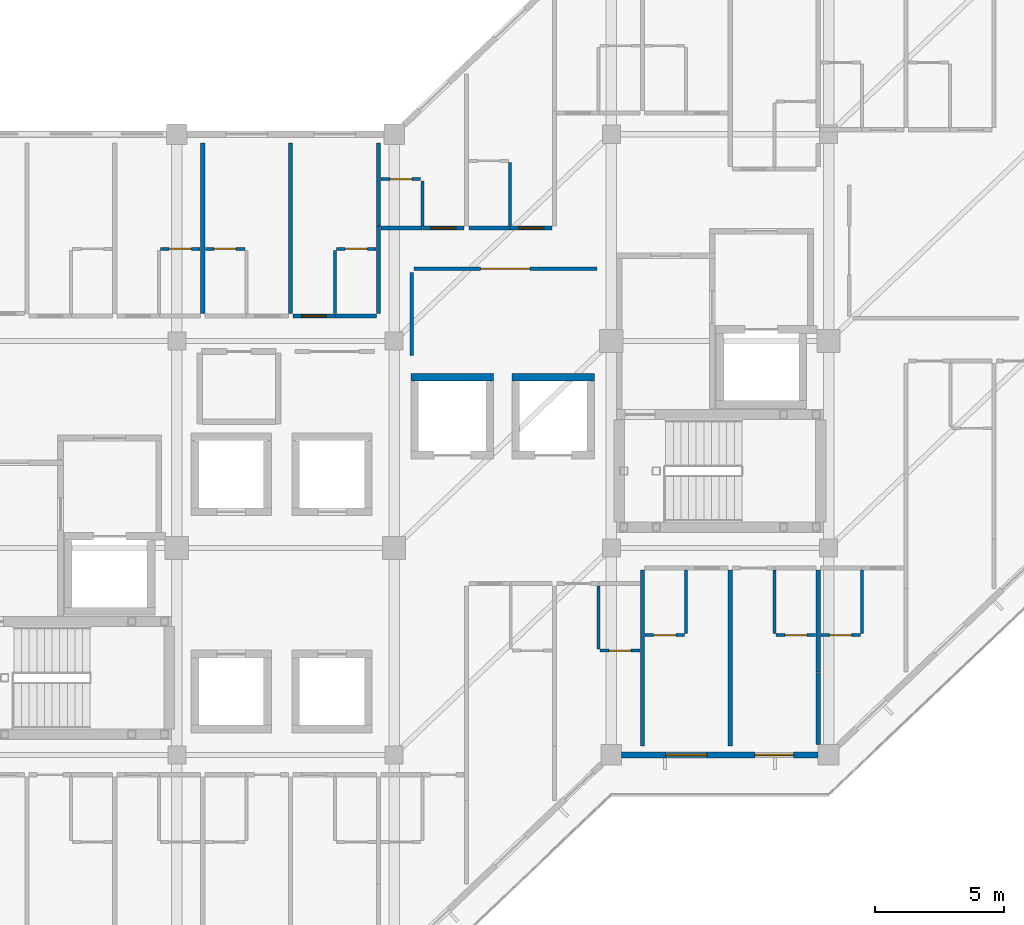
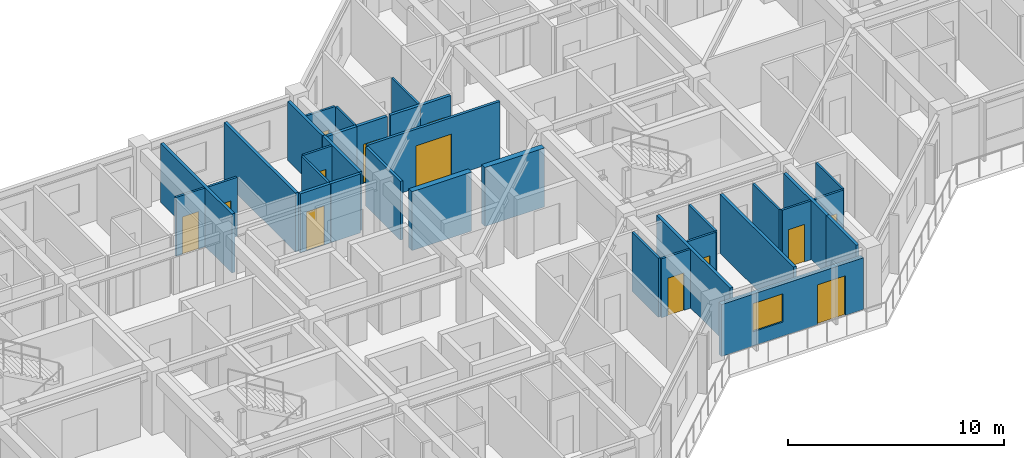
# One storey, part 9 of 17: 34 walls, 13 doors, 1 window, 14 openings.
"""IFC4 building model written with IfcOpenShell, lengths in metres."""

from ifc_helpers import new_model, si_unit, direction, frame, frame_2d, origin, place, context, subcontext, project, spatial, rectangle, extrude, material, layer, layer_set, type_object, element, fill, save


model = new_model("IFC4")

# Units and contexts
model_context = context("Model", 3, precision=1e-05, world=origin(), true_north=direction((0.0, 1.0)))
body_context = subcontext(model_context, "Body", "Model", "MODEL_VIEW")
ifc_project = project(units=[si_unit("LENGTHUNIT", "METRE"), si_unit("AREAUNIT", "SQUARE_METRE"), si_unit("VOLUMEUNIT", "CUBIC_METRE"), si_unit("PLANEANGLEUNIT", "RADIAN"), si_unit("MASSUNIT", "GRAM", prefix="KILO")], contexts=[model_context])

# Site, building, storey
site_placement = place(None, origin())
site = spatial("IfcSite", under=ifc_project, at=site_placement, CompositionType="ELEMENT")
building_placement = place(site_placement, origin())
building = spatial("IfcBuilding", under=site, at=building_placement, Name="Naruveol Harbour Congress Hotel", CompositionType="ELEMENT")
storey_placement = place(building_placement, frame((0.0, 0.0, 25.199951171875)))
storey = spatial("IfcBuildingStorey", under=building, at=storey_placement, Name="L05", CompositionType="ELEMENT", Elevation=25.199951171875)

# Wall, opening, door
ifc_material_1 = material(Name="Acoustic Double Stud Gypsum", Category="gypsum")
ifc_layer_1 = layer(ifc_material_1, 0.139892578125)
ifc_layer_set_1 = layer_set([ifc_layer_1], Name="Acoustic Double Stud Gypsum")
wall_type_1 = type_object("IfcWallType", Name="ACOUSTIC MEETING PARTITION WALL 140", PredefinedType="PARTITIONING", material=ifc_layer_set_1)
wall_1_placement = place(storey_placement, frame((143.56005859375, 26.800048828125, 0.0), z_axis=(0.0, 0.0, 1.0), x_axis=(1.0, 0.0, 0.0)))
wall_1 = element("IfcWall", 1, at=wall_1_placement, inside=storey, type_object=wall_type_1, Name="Harbour Study Salon north entry wall PW-140", PredefinedType="PARTITIONING", context=body_context, shape_type="SweptSolid", body=[
    extrude(rectangle(XDim=7.079833984375, YDim=0.139892578125, at=frame_2d((3.5400390625, 0.0))), origin(), (0.0, 0.0, 1.0), 3.3349609375),
])
opening_1_placement = place(wall_1_placement, frame((2.590087890625, 0.0, 0.0)))
opening_1 = element("IfcOpeningElement", 2, at=opening_1_placement, cuts=wall_1, Name="Opening ID-LG-105", PredefinedType="OPENING", context=body_context, shape_type="SweptSolid", body=[
    extrude(rectangle(XDim=1.89990234375, YDim=2.39990234375, at=frame_2d((0.949951171875, 1.199951171875))), frame((0.0, 0.079833984375, 0.0), z_axis=(0.0, -1.0, 0.0), x_axis=(1.0, 0.0, 0.0)), (0.0, 0.0, 1.0), 0.159912109375),
])
ifc_material_2 = material(Name="Timber & Steel Acoustic Leaf", Category="steel")
door_type_1 = type_object("IfcDoorType", Name="RESTAURANT AND LOUNGE GLAZED DOOR 1900X2400", OperationType="DOUBLE_DOOR_SINGLE_SWING", PredefinedType="DOOR", material=ifc_material_2)
door_1_placement = place(opening_1_placement, origin())
door_1 = element("IfcDoor", 3, at=door_1_placement, inside=storey, type_object=door_type_1, Name="Harbour Study Salon Entrance Door", OperationType="DOUBLE_DOOR_SINGLE_SWING", OverallHeight=2.39990234375, OverallWidth=1.89990234375, PredefinedType="DOOR", context=body_context, shape_type="SweptSolid", body=[
    extrude(rectangle(XDim=1.89990234375, YDim=2.39990234375, at=frame_2d((0.949951171875, 1.199951171875))), frame((0.0, 0.02490234375, 0.0), z_axis=(0.0, -1.0, 0.0), x_axis=(1.0, 0.0, 0.0)), (0.0, 0.0, 1.0), 0.050048828125),
])
fill(opening_1, door_1)

# Wall
wall_2_placement = place(storey_placement, frame((143.47998046875, 23.449951171875, 0.0), z_axis=(0.0, 0.0, 1.0), x_axis=(0.0, 1.0, 0.0)))
element("IfcWall", 4, at=wall_2_placement, inside=storey, type_object=wall_type_1, Name="Harbour Study Salon west partition PW-140", PredefinedType="PARTITIONING", context=body_context, shape_type="SweptSolid", body=[
    extrude(rectangle(XDim=3.2099609375, YDim=0.139892578125, at=frame_2d((1.60498046875, 0.0))), origin(), (0.0, 0.0, 1.0), 3.3349609375),
])

# Wall, opening, door
ifc_material_3 = material(Name="Moisture-Resistant Gypsum Partition", Category="gypsum")
ifc_layer_2 = layer(ifc_material_3, 0.114990234375)
ifc_layer_set_2 = layer_set([ifc_layer_2], Name="Moisture-Resistant Gypsum Partition")
wall_type_2 = type_object("IfcWallType", Name="BATHROOM MOISTURE PARTITION WALL 115", PredefinedType="PARTITIONING", material=ifc_layer_set_2)
wall_3_placement = place(storey_placement, frame((133.77001953125, 27.570068359375, 0.0), z_axis=(0.0, 0.0, 1.0), x_axis=(1.0, 0.0, 0.0)))
wall_3 = element("IfcWall", 5, at=wall_3_placement, inside=storey, type_object=wall_type_2, Name="Bathroom north wall 0638 PW-115", PredefinedType="PARTITIONING", context=body_context, shape_type="SweptSolid", body=[
    extrude(rectangle(XDim=1.530029296875, YDim=0.114990234375, at=frame_2d((0.76513671875, 0.0))), origin(), (0.0, 0.0, 1.0), 3.3349609375),
])
opening_2_placement = place(wall_3_placement, frame((0.3349609375, 0.0, 0.0)))
opening_2 = element("IfcOpeningElement", 6, at=opening_2_placement, cuts=wall_3, Name="Opening BD-RM0638", PredefinedType="OPENING", context=body_context, shape_type="SweptSolid", body=[
    extrude(rectangle(XDim=0.860107421875, YDim=2.1201171875, at=frame_2d((0.43017578125, 1.06005859375))), frame((0.0, 0.0673828125, 0.0), z_axis=(0.0, -1.0, 0.0), x_axis=(1.0, 0.0, 0.0)), (0.0, 0.0, 1.0), 0.135009765625),
])
ifc_material_4 = material(Name="Timber & Steel Acoustic Leaf", Category="steel")
door_type_2 = type_object("IfcDoorType", Name="GUEST BATHROOM DOOR 860X2120", OperationType="NOTDEFINED", PredefinedType="DOOR", material=ifc_material_4)
door_2_placement = place(opening_2_placement, origin())
door_2 = element("IfcDoor", 7, at=door_2_placement, inside=storey, type_object=door_type_2, Name="Bathroom Door 0638", OperationType="SINGLE_SWING_RIGHT", OverallHeight=2.1201171875, OverallWidth=0.860107421875, PredefinedType="DOOR", context=body_context, shape_type="SweptSolid", body=[
    extrude(rectangle(XDim=0.860107421875, YDim=2.1201171875, at=frame_2d((0.43017578125, 1.06005859375))), frame((0.0, 0.02490234375, 0.0), z_axis=(0.0, -1.0, 0.0), x_axis=(1.0, 0.0, 0.0)), (0.0, 0.0, 1.0), 0.050048828125),
])
fill(opening_2, door_2)

wall_4_placement = place(storey_placement, frame((135.5, 27.570068359375, 0.0), z_axis=(0.0, 0.0, 1.0), x_axis=(1.0, 0.0, 0.0)))
wall_4 = element("IfcWall", 8, at=wall_4_placement, inside=storey, type_object=wall_type_2, Name="Bathroom north wall 0639 PW-115", PredefinedType="PARTITIONING", context=body_context, shape_type="SweptSolid", body=[
    extrude(rectangle(XDim=1.530029296875, YDim=0.114990234375, at=frame_2d((0.76513671875, 0.0))), origin(), (0.0, 0.0, 1.0), 3.3349609375),
])
opening_3_placement = place(wall_4_placement, frame((0.3349609375, 0.0, 0.0)))
opening_3 = element("IfcOpeningElement", 9, at=opening_3_placement, cuts=wall_4, Name="Opening BD-RM0639", PredefinedType="OPENING", context=body_context, shape_type="SweptSolid", body=[
    extrude(rectangle(XDim=0.860107421875, YDim=2.1201171875, at=frame_2d((0.43017578125, 1.06005859375))), frame((0.0, 0.0673828125, 0.0), z_axis=(0.0, -1.0, 0.0), x_axis=(1.0, 0.0, 0.0)), (0.0, 0.0, 1.0), 0.135009765625),
])
door_3_placement = place(opening_3_placement, origin())
door_3 = element("IfcDoor", 10, at=door_3_placement, inside=storey, type_object=door_type_2, Name="Bathroom Door 0639", OperationType="SINGLE_SWING_RIGHT", OverallHeight=2.1201171875, OverallWidth=0.860107421875, PredefinedType="DOOR", context=body_context, shape_type="SweptSolid", body=[
    extrude(rectangle(XDim=0.860107421875, YDim=2.1201171875, at=frame_2d((0.43017578125, 1.06005859375))), frame((0.0, 0.02490234375, 0.0), z_axis=(0.0, -1.0, 0.0), x_axis=(1.0, 0.0, 0.0)), (0.0, 0.0, 1.0), 0.050048828125),
])
fill(opening_3, door_3)

# Wall
wall_5_placement = place(storey_placement, frame((140.510009765625, 25.06005859375, 0.0), z_axis=(0.0, 0.0, 1.0), x_axis=(0.0, 1.0, 0.0)))
element("IfcWall", 11, at=wall_5_placement, inside=storey, type_object=wall_type_2, Name="Bathroom west wall 0640 PW-115", PredefinedType="PARTITIONING", context=body_context, shape_type="SweptSolid", body=[
    extrude(rectangle(XDim=2.449951171875, YDim=0.114990234375, at=frame_2d((1.22509765625, 0.0))), origin(), (0.0, 0.0, 1.0), 3.3349609375),
])

# Wall, opening, door
wall_6_placement = place(storey_placement, frame((140.570068359375, 27.570068359375, 0.0), z_axis=(0.0, 0.0, 1.0), x_axis=(1.0, 0.0, 0.0)))
wall_6 = element("IfcWall", 12, at=wall_6_placement, inside=storey, type_object=wall_type_2, Name="Bathroom north wall 0640 PW-115", PredefinedType="PARTITIONING", context=body_context, shape_type="SweptSolid", body=[
    extrude(rectangle(XDim=1.530029296875, YDim=0.114990234375, at=frame_2d((0.76513671875, 0.0))), origin(), (0.0, 0.0, 1.0), 3.3349609375),
])
opening_4_placement = place(wall_6_placement, frame((0.3349609375, 0.0, 0.0)))
opening_4 = element("IfcOpeningElement", 13, at=opening_4_placement, cuts=wall_6, Name="Opening BD-RM0640", PredefinedType="OPENING", context=body_context, shape_type="SweptSolid", body=[
    extrude(rectangle(XDim=0.860107421875, YDim=2.1201171875, at=frame_2d((0.43017578125, 1.06005859375))), frame((0.0, 0.0673828125, 0.0), z_axis=(0.0, -1.0, 0.0), x_axis=(1.0, 0.0, 0.0)), (0.0, 0.0, 1.0), 0.135009765625),
])
door_4_placement = place(opening_4_placement, origin())
door_4 = element("IfcDoor", 14, at=door_4_placement, inside=storey, type_object=door_type_2, Name="Bathroom Door 0640", OperationType="SINGLE_SWING_RIGHT", OverallHeight=2.1201171875, OverallWidth=0.860107421875, PredefinedType="DOOR", context=body_context, shape_type="SweptSolid", body=[
    extrude(rectangle(XDim=0.860107421875, YDim=2.1201171875, at=frame_2d((0.43017578125, 1.06005859375))), frame((0.0, 0.02490234375, 0.0), z_axis=(0.0, -1.0, 0.0), x_axis=(1.0, 0.0, 0.0)), (0.0, 0.0, 1.0), 0.050048828125),
])
fill(opening_4, door_4)

# Wall
wall_7_placement = place(storey_placement, frame((143.889892578125, 28.4599609375, 0.0), z_axis=(0.0, 0.0, 1.0), x_axis=(0.0, 1.0, 0.0)))
element("IfcWall", 15, at=wall_7_placement, inside=storey, type_object=wall_type_2, Name="Bathroom east wall 0641 PW-115", PredefinedType="PARTITIONING", context=body_context, shape_type="SweptSolid", body=[
    extrude(rectangle(XDim=1.739990234375, YDim=0.114990234375, at=frame_2d((0.8701171875, 0.0))), origin(), (0.0, 0.0, 1.0), 3.3349609375),
])

# Wall, opening, door
wall_8_placement = place(storey_placement, frame((142.300048828125, 30.260009765625, 0.0), z_axis=(0.0, 0.0, 1.0), x_axis=(1.0, 0.0, 0.0)))
wall_8 = element("IfcWall", 16, at=wall_8_placement, inside=storey, type_object=wall_type_2, Name="Bathroom north wall 0641 PW-115", PredefinedType="PARTITIONING", context=body_context, shape_type="SweptSolid", body=[
    extrude(rectangle(XDim=1.530029296875, YDim=0.114990234375, at=frame_2d((0.76513671875, 0.0))), origin(), (0.0, 0.0, 1.0), 3.3349609375),
])
opening_5_placement = place(wall_8_placement, frame((0.3349609375, 0.0, 0.0)))
opening_5 = element("IfcOpeningElement", 17, at=opening_5_placement, cuts=wall_8, Name="Opening BD-RM0641", PredefinedType="OPENING", context=body_context, shape_type="SweptSolid", body=[
    extrude(rectangle(XDim=0.860107421875, YDim=2.1201171875, at=frame_2d((0.43017578125, 1.06005859375))), frame((0.0, 0.0673828125, 0.0), z_axis=(0.0, -1.0, 0.0), x_axis=(1.0, 0.0, 0.0)), (0.0, 0.0, 1.0), 0.135009765625),
])
door_5_placement = place(opening_5_placement, origin())
door_5 = element("IfcDoor", 18, at=door_5_placement, inside=storey, type_object=door_type_2, Name="Bathroom Door 0641", OperationType="SINGLE_SWING_RIGHT", OverallHeight=2.1201171875, OverallWidth=0.860107421875, PredefinedType="DOOR", context=body_context, shape_type="SweptSolid", body=[
    extrude(rectangle(XDim=0.860107421875, YDim=2.1201171875, at=frame_2d((0.43017578125, 1.06005859375))), frame((0.0, 0.02490234375, 0.0), z_axis=(0.0, -1.0, 0.0), x_axis=(1.0, 0.0, 0.0)), (0.0, 0.0, 1.0), 0.050048828125),
])
fill(opening_5, door_5)

# Walls
for number, where, z_axis, x_axis, name in (
    (19, (147.2900390625, 28.4599609375, 0.0), (0.0, 0.0, 1.0), (0.0, 1.0, 0.0), "Bathroom east wall 0642 PW-115"),
    (20, (150.7099609375, 12.090087890625, 0.0), (0.0, 0.0, 1.0), (0.0, 1.0, 0.0), "Bathroom west wall 0624 PW-115"),
):
    element("IfcWall", number, at=place(storey_placement, frame(where, z_axis=z_axis, x_axis=x_axis)), inside=storey, type_object=wall_type_2, Name=name, PredefinedType="PARTITIONING", context=body_context, shape_type="SweptSolid", body=[
        extrude(rectangle(XDim=2.449951171875, YDim=0.114990234375, at=frame_2d((1.22509765625, 0.0))), origin(), (0.0, 0.0, 1.0), 3.3349609375),
    ])

# Wall, opening, door
wall_9_placement = place(storey_placement, frame((150.77001953125, 12.030029296875, 0.0), z_axis=(0.0, 0.0, 1.0), x_axis=(1.0, 0.0, 0.0)))
wall_9 = element("IfcWall", 21, at=wall_9_placement, inside=storey, type_object=wall_type_2, Name="Bathroom south wall 0624 PW-115", PredefinedType="PARTITIONING", context=body_context, shape_type="SweptSolid", body=[
    extrude(rectangle(XDim=1.530029296875, YDim=0.114990234375, at=frame_2d((0.76513671875, 0.0))), origin(), (0.0, 0.0, 1.0), 3.3349609375),
])
opening_6_placement = place(wall_9_placement, frame((0.3349609375, 0.0, 0.0)))
opening_6 = element("IfcOpeningElement", 22, at=opening_6_placement, cuts=wall_9, Name="Opening BD-RM0624", PredefinedType="OPENING", context=body_context, shape_type="SweptSolid", body=[
    extrude(rectangle(XDim=0.860107421875, YDim=2.1201171875, at=frame_2d((0.43017578125, 1.06005859375))), frame((0.0, 0.0673828125, 0.0), z_axis=(0.0, -1.0, 0.0), x_axis=(1.0, 0.0, 0.0)), (0.0, 0.0, 1.0), 0.135009765625),
])
door_6_placement = place(opening_6_placement, origin())
door_6 = element("IfcDoor", 23, at=door_6_placement, inside=storey, type_object=door_type_2, Name="Bathroom Door 0624", OperationType="SINGLE_SWING_RIGHT", OverallHeight=2.1201171875, OverallWidth=0.860107421875, PredefinedType="DOOR", context=body_context, shape_type="SweptSolid", body=[
    extrude(rectangle(XDim=0.860107421875, YDim=2.1201171875, at=frame_2d((0.43017578125, 1.06005859375))), frame((0.0, 0.02490234375, 0.0), z_axis=(0.0, -1.0, 0.0), x_axis=(1.0, 0.0, 0.0)), (0.0, 0.0, 1.0), 0.050048828125),
])
fill(opening_6, door_6)

# Wall
wall_10_placement = place(storey_placement, frame((154.090087890625, 12.68994140625, 0.0), z_axis=(0.0, 0.0, 1.0), x_axis=(0.0, 1.0, 0.0)))
element("IfcWall", 24, at=wall_10_placement, inside=storey, type_object=wall_type_2, Name="Bathroom east wall 0625 PW-115", PredefinedType="PARTITIONING", context=body_context, shape_type="SweptSolid", body=[
    extrude(rectangle(XDim=2.449951171875, YDim=0.114990234375, at=frame_2d((1.22509765625, 0.0))), origin(), (0.0, 0.0, 1.0), 3.3349609375),
])

# Wall, opening, door
wall_11_placement = place(storey_placement, frame((152.5, 12.6298828125, 0.0), z_axis=(0.0, 0.0, 1.0), x_axis=(1.0, 0.0, 0.0)))
wall_11 = element("IfcWall", 25, at=wall_11_placement, inside=storey, type_object=wall_type_2, Name="Bathroom south wall 0625 PW-115", PredefinedType="PARTITIONING", context=body_context, shape_type="SweptSolid", body=[
    extrude(rectangle(XDim=1.530029296875, YDim=0.114990234375, at=frame_2d((0.76513671875, 0.0))), origin(), (0.0, 0.0, 1.0), 3.3349609375),
])
opening_7_placement = place(wall_11_placement, frame((0.3349609375, 0.0, 0.0)))
opening_7 = element("IfcOpeningElement", 26, at=opening_7_placement, cuts=wall_11, Name="Opening BD-RM0625", PredefinedType="OPENING", context=body_context, shape_type="SweptSolid", body=[
    extrude(rectangle(XDim=0.860107421875, YDim=2.1201171875, at=frame_2d((0.43017578125, 1.06005859375))), frame((0.0, 0.0673828125, 0.0), z_axis=(0.0, -1.0, 0.0), x_axis=(1.0, 0.0, 0.0)), (0.0, 0.0, 1.0), 0.135009765625),
])
door_7_placement = place(opening_7_placement, origin())
door_7 = element("IfcDoor", 27, at=door_7_placement, inside=storey, type_object=door_type_2, Name="Bathroom Door 0625", OperationType="SINGLE_SWING_RIGHT", OverallHeight=2.1201171875, OverallWidth=0.860107421875, PredefinedType="DOOR", context=body_context, shape_type="SweptSolid", body=[
    extrude(rectangle(XDim=0.860107421875, YDim=2.1201171875, at=frame_2d((0.43017578125, 1.06005859375))), frame((0.0, 0.02490234375, 0.0), z_axis=(0.0, -1.0, 0.0), x_axis=(1.0, 0.0, 0.0)), (0.0, 0.0, 1.0), 0.050048828125),
])
fill(opening_7, door_7)

# Wall
wall_12_placement = place(storey_placement, frame((157.510009765625, 12.68994140625, 0.0), z_axis=(0.0, 0.0, 1.0), x_axis=(0.0, 1.0, 0.0)))
element("IfcWall", 28, at=wall_12_placement, inside=storey, type_object=wall_type_2, Name="Bathroom west wall 0626 PW-115", PredefinedType="PARTITIONING", context=body_context, shape_type="SweptSolid", body=[
    extrude(rectangle(XDim=2.449951171875, YDim=0.114990234375, at=frame_2d((1.22509765625, 0.0))), origin(), (0.0, 0.0, 1.0), 3.3349609375),
])

# Wall, opening, door
wall_13_placement = place(storey_placement, frame((157.570068359375, 12.6298828125, 0.0), z_axis=(0.0, 0.0, 1.0), x_axis=(1.0, 0.0, 0.0)))
wall_13 = element("IfcWall", 29, at=wall_13_placement, inside=storey, type_object=wall_type_2, Name="Bathroom south wall 0626 PW-115", PredefinedType="PARTITIONING", context=body_context, shape_type="SweptSolid", body=[
    extrude(rectangle(XDim=1.530029296875, YDim=0.114990234375, at=frame_2d((0.76513671875, 0.0))), origin(), (0.0, 0.0, 1.0), 3.3349609375),
])
opening_8_placement = place(wall_13_placement, frame((0.3349609375, 0.0, 0.0)))
opening_8 = element("IfcOpeningElement", 30, at=opening_8_placement, cuts=wall_13, Name="Opening BD-RM0626", PredefinedType="OPENING", context=body_context, shape_type="SweptSolid", body=[
    extrude(rectangle(XDim=0.860107421875, YDim=2.1201171875, at=frame_2d((0.43017578125, 1.06005859375))), frame((0.0, 0.0673828125, 0.0), z_axis=(0.0, -1.0, 0.0), x_axis=(1.0, 0.0, 0.0)), (0.0, 0.0, 1.0), 0.135009765625),
])
door_8_placement = place(opening_8_placement, origin())
door_8 = element("IfcDoor", 31, at=door_8_placement, inside=storey, type_object=door_type_2, Name="Bathroom Door 0626", OperationType="SINGLE_SWING_RIGHT", OverallHeight=2.1201171875, OverallWidth=0.860107421875, PredefinedType="DOOR", context=body_context, shape_type="SweptSolid", body=[
    extrude(rectangle(XDim=0.860107421875, YDim=2.1201171875, at=frame_2d((0.43017578125, 1.06005859375))), frame((0.0, 0.02490234375, 0.0), z_axis=(0.0, -1.0, 0.0), x_axis=(1.0, 0.0, 0.0)), (0.0, 0.0, 1.0), 0.050048828125),
])
fill(opening_8, door_8)

# Wall
wall_14_placement = place(storey_placement, frame((160.889892578125, 12.68994140625, 0.0), z_axis=(0.0, 0.0, 1.0), x_axis=(0.0, 1.0, 0.0)))
element("IfcWall", 32, at=wall_14_placement, inside=storey, type_object=wall_type_2, Name="Bathroom east wall 0627 PW-115", PredefinedType="PARTITIONING", context=body_context, shape_type="SweptSolid", body=[
    extrude(rectangle(XDim=2.449951171875, YDim=0.114990234375, at=frame_2d((1.22509765625, 0.0))), origin(), (0.0, 0.0, 1.0), 3.3349609375),
])

# Wall, opening, door
wall_15_placement = place(storey_placement, frame((159.300048828125, 12.6298828125, 0.0), z_axis=(0.0, 0.0, 1.0), x_axis=(1.0, 0.0, 0.0)))
wall_15 = element("IfcWall", 33, at=wall_15_placement, inside=storey, type_object=wall_type_2, Name="Bathroom south wall 0627 PW-115", PredefinedType="PARTITIONING", context=body_context, shape_type="SweptSolid", body=[
    extrude(rectangle(XDim=1.530029296875, YDim=0.114990234375, at=frame_2d((0.76513671875, 0.0))), origin(), (0.0, 0.0, 1.0), 3.3349609375),
])
opening_9_placement = place(wall_15_placement, frame((0.3349609375, 0.0, 0.0)))
opening_9 = element("IfcOpeningElement", 34, at=opening_9_placement, cuts=wall_15, Name="Opening BD-RM0627", PredefinedType="OPENING", context=body_context, shape_type="SweptSolid", body=[
    extrude(rectangle(XDim=0.860107421875, YDim=2.1201171875, at=frame_2d((0.43017578125, 1.06005859375))), frame((0.0, 0.0673828125, 0.0), z_axis=(0.0, -1.0, 0.0), x_axis=(1.0, 0.0, 0.0)), (0.0, 0.0, 1.0), 0.135009765625),
])
door_9_placement = place(opening_9_placement, origin())
door_9 = element("IfcDoor", 35, at=door_9_placement, inside=storey, type_object=door_type_2, Name="Bathroom Door 0627", OperationType="SINGLE_SWING_RIGHT", OverallHeight=2.1201171875, OverallWidth=0.860107421875, PredefinedType="DOOR", context=body_context, shape_type="SweptSolid", body=[
    extrude(rectangle(XDim=0.860107421875, YDim=2.1201171875, at=frame_2d((0.43017578125, 1.06005859375))), frame((0.0, 0.02490234375, 0.0), z_axis=(0.0, -1.0, 0.0), x_axis=(1.0, 0.0, 0.0)), (0.0, 0.0, 1.0), 0.050048828125),
])
fill(opening_9, door_9)

# Wall
ifc_material_5 = material(Name="Autoclaved Aerated Concrete Block", Category="concrete")
ifc_layer_3 = layer(ifc_material_5, 0.159912109375)
ifc_layer_set_3 = layer_set([ifc_layer_3], Name="Autoclaved Aerated Concrete Block")
wall_type_3 = type_object("IfcWallType", Name="HOTEL PARTY AND CORRIDOR WALL 160 EI60", PredefinedType="PARTITIONING", material=ifc_layer_set_3)
wall_16_placement = place(storey_placement, frame((135.39990234375, 25.06005859375, 0.0), z_axis=(0.0, 0.0, 1.0), x_axis=(0.0, 1.0, 0.0)))
element("IfcWall", 36, at=wall_16_placement, inside=storey, type_object=wall_type_3, Name="Hotel party wall 0639 PW-160", PredefinedType="PARTITIONING", context=body_context, shape_type="SweptSolid", body=[
    extrude(rectangle(XDim=6.599853515625, YDim=0.159912109375, at=frame_2d((3.2998046875, 0.0))), origin(), (0.0, 0.0, 1.0), 3.3349609375),
])

# Wall, opening, door
wall_17_placement = place(storey_placement, frame((138.889892578125, 24.969970703125, 0.0), z_axis=(0.0, 0.0, 1.0), x_axis=(1.0, 0.0, 0.0)))
wall_17 = element("IfcWall", 37, at=wall_17_placement, inside=storey, type_object=wall_type_3, Name="Corridor entry wall 0640 PW-160", PredefinedType="PARTITIONING", context=body_context, shape_type="SweptSolid", body=[
    extrude(rectangle(XDim=1.6201171875, YDim=0.159912109375, at=frame_2d((0.81005859375, 0.0))), origin(), (0.0, 0.0, 1.0), 3.3349609375),
])
opening_10_placement = place(wall_17_placement, frame((0.330078125, 0.0, 0.0)))
opening_10 = element("IfcOpeningElement", 38, at=opening_10_placement, cuts=wall_17, Name="Opening FD-RM0640", PredefinedType="OPENING", context=body_context, shape_type="SweptSolid", body=[
    extrude(rectangle(XDim=0.9599609375, YDim=2.199951171875, at=frame_2d((0.47998046875, 1.10009765625))), frame((0.0, 0.08984375, 0.0), z_axis=(0.0, -1.0, 0.0), x_axis=(1.0, 0.0, 0.0)), (0.0, 0.0, 1.0), 0.179931640625),
])
ifc_material_6 = material(Name="Timber & Steel Acoustic Leaf", Category="steel")
door_type_3 = type_object("IfcDoorType", Name="GUEST ROOM ENTRANCE FIRE DOOR 960X2200", OperationType="NOTDEFINED", PredefinedType="DOOR", material=ifc_material_6)
door_10_placement = place(opening_10_placement, origin())
door_10 = element("IfcDoor", 39, at=door_10_placement, inside=storey, type_object=door_type_3, Name="Hotel Room Door 0640", OperationType="SINGLE_SWING_LEFT", OverallHeight=2.199951171875, OverallWidth=0.9599609375, PredefinedType="DOOR", context=body_context, shape_type="SweptSolid", body=[
    extrude(rectangle(XDim=0.9599609375, YDim=2.199951171875, at=frame_2d((0.47998046875, 1.10009765625))), frame((0.0, 0.02490234375, 0.0), z_axis=(0.0, -1.0, 0.0), x_axis=(1.0, 0.0, 0.0)), (0.0, 0.0, 1.0), 0.050048828125),
])
fill(opening_10, door_10)

# Walls
wall_18_placement = place(storey_placement, frame((140.52001953125, 24.969970703125, 0.0), z_axis=(0.0, 0.0, 1.0), x_axis=(1.0, 0.0, 0.0)))
element("IfcWall", 40, at=wall_18_placement, inside=storey, type_object=wall_type_3, Name="Corridor wall 0640B PW-160", PredefinedType="PARTITIONING", context=body_context, shape_type="SweptSolid", body=[
    extrude(rectangle(XDim=1.590087890625, YDim=0.159912109375, at=frame_2d((0.794921875, 0.0))), origin(), (0.0, 0.0, 1.0), 3.3349609375),
])
wall_19_placement = place(storey_placement, frame((138.800048828125, 25.06005859375, 0.0), z_axis=(0.0, 0.0, 1.0), x_axis=(0.0, 1.0, 0.0)))
element("IfcWall", 41, at=wall_19_placement, inside=storey, type_object=wall_type_3, Name="Hotel party wall 0640 PW-160", PredefinedType="PARTITIONING", context=body_context, shape_type="SweptSolid", body=[
    extrude(rectangle(XDim=6.599853515625, YDim=0.159912109375, at=frame_2d((3.2998046875, 0.0))), origin(), (0.0, 0.0, 1.0), 3.3349609375),
])
wall_20_placement = place(storey_placement, frame((142.199951171875, 25.06005859375, 0.0), z_axis=(0.0, 0.0, 1.0), x_axis=(0.0, 1.0, 0.0)))
element("IfcWall", 42, at=wall_20_placement, inside=storey, type_object=wall_type_3, Name="Hotel end party wall 0640 PW-160", PredefinedType="PARTITIONING", context=body_context, shape_type="SweptSolid", body=[
    extrude(rectangle(XDim=3.389892578125, YDim=0.159912109375, at=frame_2d((1.69482421875, 0.0))), origin(), (0.0, 0.0, 1.0), 3.3349609375),
])
wall_21_placement = place(storey_placement, frame((142.2900390625, 28.3701171875, 0.0), z_axis=(0.0, 0.0, 1.0), x_axis=(1.0, 0.0, 0.0)))
element("IfcWall", 43, at=wall_21_placement, inside=storey, type_object=wall_type_3, Name="Corridor wall 0641B PW-160", PredefinedType="PARTITIONING", context=body_context, shape_type="SweptSolid", body=[
    extrude(rectangle(XDim=1.58984375, YDim=0.159912109375, at=frame_2d((0.794921875, 0.0))), origin(), (0.0, 0.0, 1.0), 3.3349609375),
])

# Wall, opening, door
wall_22_placement = place(storey_placement, frame((143.889892578125, 28.3701171875, 0.0), z_axis=(0.0, 0.0, 1.0), x_axis=(1.0, 0.0, 0.0)))
wall_22 = element("IfcWall", 44, at=wall_22_placement, inside=storey, type_object=wall_type_3, Name="Corridor entry wall 0641 PW-160", PredefinedType="PARTITIONING", context=body_context, shape_type="SweptSolid", body=[
    extrude(rectangle(XDim=1.6201171875, YDim=0.159912109375, at=frame_2d((0.81005859375, 0.0))), origin(), (0.0, 0.0, 1.0), 3.3349609375),
])
opening_11_placement = place(wall_22_placement, frame((0.330078125, 0.0, 0.0)))
opening_11 = element("IfcOpeningElement", 45, at=opening_11_placement, cuts=wall_22, Name="Opening FD-RM0641", PredefinedType="OPENING", context=body_context, shape_type="SweptSolid", body=[
    extrude(rectangle(XDim=0.9599609375, YDim=2.199951171875, at=frame_2d((0.47998046875, 1.10009765625))), frame((0.0, 0.08984375, 0.0), z_axis=(0.0, -1.0, 0.0), x_axis=(1.0, 0.0, 0.0)), (0.0, 0.0, 1.0), 0.179931640625),
])
door_11_placement = place(opening_11_placement, origin())
door_11 = element("IfcDoor", 46, at=door_11_placement, inside=storey, type_object=door_type_3, Name="Hotel Room Door 0641", OperationType="SINGLE_SWING_LEFT", OverallHeight=2.199951171875, OverallWidth=0.9599609375, PredefinedType="DOOR", context=body_context, shape_type="SweptSolid", body=[
    extrude(rectangle(XDim=0.9599609375, YDim=2.199951171875, at=frame_2d((0.47998046875, 1.10009765625))), frame((0.0, 0.02490234375, 0.0), z_axis=(0.0, -1.0, 0.0), x_axis=(1.0, 0.0, 0.0)), (0.0, 0.0, 1.0), 0.050048828125),
])
fill(opening_11, door_11)

# Walls
wall_23_placement = place(storey_placement, frame((142.199951171875, 28.4599609375, 0.0), z_axis=(0.0, 0.0, 1.0), x_axis=(0.0, 1.0, 0.0)))
element("IfcWall", 47, at=wall_23_placement, inside=storey, type_object=wall_type_3, Name="Hotel party wall 0641 PW-160", PredefinedType="PARTITIONING", context=body_context, shape_type="SweptSolid", body=[
    extrude(rectangle(XDim=3.199951171875, YDim=0.159912109375, at=frame_2d((1.60009765625, 0.0))), origin(), (0.0, 0.0, 1.0), 3.3349609375),
])
wall_24_placement = place(storey_placement, frame((145.68994140625, 28.3701171875, 0.0), z_axis=(0.0, 0.0, 1.0), x_axis=(1.0, 0.0, 0.0)))
element("IfcWall", 48, at=wall_24_placement, inside=storey, type_object=wall_type_3, Name="Corridor wall 0642B PW-160", PredefinedType="PARTITIONING", context=body_context, shape_type="SweptSolid", body=[
    extrude(rectangle(XDim=1.590087890625, YDim=0.159912109375, at=frame_2d((0.794921875, 0.0))), origin(), (0.0, 0.0, 1.0), 3.3349609375),
])

# Wall, opening, door
wall_25_placement = place(storey_placement, frame((147.2900390625, 28.3701171875, 0.0), z_axis=(0.0, 0.0, 1.0), x_axis=(1.0, 0.0, 0.0)))
wall_25 = element("IfcWall", 49, at=wall_25_placement, inside=storey, type_object=wall_type_3, Name="Corridor entry wall 0642 PW-160", PredefinedType="PARTITIONING", context=body_context, shape_type="SweptSolid", body=[
    extrude(rectangle(XDim=1.619873046875, YDim=0.159912109375, at=frame_2d((0.81005859375, 0.0))), origin(), (0.0, 0.0, 1.0), 3.3349609375),
])
opening_12_placement = place(wall_25_placement, frame((0.330078125, 0.0, 0.0)))
opening_12 = element("IfcOpeningElement", 50, at=opening_12_placement, cuts=wall_25, Name="Opening FD-RM0642", PredefinedType="OPENING", context=body_context, shape_type="SweptSolid", body=[
    extrude(rectangle(XDim=0.9599609375, YDim=2.199951171875, at=frame_2d((0.47998046875, 1.10009765625))), frame((0.0, 0.08984375, 0.0), z_axis=(0.0, -1.0, 0.0), x_axis=(1.0, 0.0, 0.0)), (0.0, 0.0, 1.0), 0.179931640625),
])
door_12_placement = place(opening_12_placement, origin())
door_12 = element("IfcDoor", 51, at=door_12_placement, inside=storey, type_object=door_type_3, Name="Hotel Room Door 0642", OperationType="SINGLE_SWING_LEFT", OverallHeight=2.199951171875, OverallWidth=0.9599609375, PredefinedType="DOOR", context=body_context, shape_type="SweptSolid", body=[
    extrude(rectangle(XDim=0.9599609375, YDim=2.199951171875, at=frame_2d((0.47998046875, 1.10009765625))), frame((0.0, 0.02490234375, 0.0), z_axis=(0.0, -1.0, 0.0), x_axis=(1.0, 0.0, 0.0)), (0.0, 0.0, 1.0), 0.050048828125),
])
fill(opening_12, door_12)

# Walls
for number, where, z_axis, x_axis, name in (
    (52, (152.39990234375, 8.340087890625, 0.0), (0.0, 0.0, 1.0), (0.0, 1.0, 0.0), "Hotel party wall 0625 PW-160"),
    (53, (155.800048828125, 8.340087890625, 0.0), (0.0, 0.0, 1.0), (0.0, 1.0, 0.0), "Hotel party wall 0626 PW-160"),
):
    element("IfcWall", number, at=place(storey_placement, frame(where, z_axis=z_axis, x_axis=x_axis)), inside=storey, type_object=wall_type_3, Name=name, PredefinedType="PARTITIONING", context=body_context, shape_type="SweptSolid", body=[
        extrude(rectangle(XDim=6.7998046875, YDim=0.159912109375, at=frame_2d((3.39990234375, 0.0))), origin(), (0.0, 0.0, 1.0), 3.3349609375),
    ])
wall_26_placement = place(storey_placement, frame((159.199951171875, 8.409912109375, 0.0), z_axis=(0.0, 0.0, 1.0), x_axis=(0.0, 1.0, 0.0)))
element("IfcWall", 54, at=wall_26_placement, inside=storey, type_object=wall_type_3, Name="Hotel end party wall 0626 PW-160", PredefinedType="PARTITIONING", context=body_context, shape_type="SweptSolid", body=[
    extrude(rectangle(XDim=2.780029296875, YDim=0.159912109375, at=frame_2d((1.39013671875, 0.0))), origin(), (0.0, 0.0, 1.0), 3.3349609375),
])
wall_27_placement = place(storey_placement, frame((159.199951171875, 11.199951171875, 0.0), z_axis=(0.0, 0.0, 1.0), x_axis=(0.0, 1.0, 0.0)))
element("IfcWall", 55, at=wall_27_placement, inside=storey, type_object=wall_type_3, Name="Hotel party wall 0627 PW-160", PredefinedType="PARTITIONING", context=body_context, shape_type="SweptSolid", body=[
    extrude(rectangle(XDim=3.93994140625, YDim=0.159912109375, at=frame_2d((1.969970703125, 0.0))), origin(), (0.0, 0.0, 1.0), 3.3349609375),
])

# Wall, openings, window, door
ifc_material_7 = material(Name="Concrete C40/50", Category="concrete")
ifc_layer_4 = layer(ifc_material_7, 0.239990234375)
ifc_layer_set_4 = layer_set([ifc_layer_4], Name="Concrete C40/50")
wall_type_4 = type_object("IfcWallType", Name="INSULATED HOTEL SPANDREL WALL 240", PredefinedType="SOLIDWALL", material=ifc_layer_set_4)
wall_28_placement = place(storey_placement, frame((159.199951171875, 8.0, 0.0), z_axis=(0.0, 0.0, 1.0), x_axis=(-1.0, 0.0, 0.0)))
wall_28 = element("IfcWall", 56, at=wall_28_placement, inside=storey, type_object=wall_type_4, Name="Hotel south waterfront wall L05 EW-240", PredefinedType="SOLIDWALL", context=body_context, shape_type="SweptSolid", body=[
    extrude(rectangle(XDim=7.599853515625, YDim=0.239990234375, at=frame_2d((3.7998046875, 0.0))), origin(), (0.0, 0.0, 1.0), 2.929931640625),
])
opening_13_placement = place(wall_28_placement, frame((0.949951171875, 0.0, 0.0)))
opening_13 = element("IfcOpeningElement", 57, at=opening_13_placement, cuts=wall_28, Name="Opening BD-150-042", PredefinedType="OPENING", context=body_context, shape_type="SweptSolid", body=[
    extrude(rectangle(XDim=1.5, YDim=2.25, at=frame_2d((0.75, 1.125))), frame((0.0, 0.1298828125, 0.0), z_axis=(0.0, -1.0, 0.0), x_axis=(1.0, 0.0, 0.0)), (0.0, 0.0, 1.0), 0.260009765625),
])
opening_14_placement = place(wall_28_placement, frame((4.300048828125, 0.0, 0.800048828125)))
opening_14 = element("IfcOpeningElement", 58, at=opening_14_placement, cuts=wall_28, Name="Opening W-03", PredefinedType="OPENING", context=body_context, shape_type="SweptSolid", body=[
    extrude(rectangle(XDim=1.60009765625, YDim=1.60009765625, at=frame_2d((0.800048828125, 0.800048828125))), frame((0.0, 0.1298828125, 0.0), z_axis=(0.0, -1.0, 0.0), x_axis=(1.0, 0.0, 0.0)), (0.0, 0.0, 1.0), 0.260009765625),
])
ifc_material_8 = material(Name="Low-E Triple Glazing in Thermal Aluminium", Category="aluminium")
window_type = type_object("IfcWindowType", Name="DELUXE GUEST WINDOW 1600X1600", PartitioningType="SINGLE_PANEL", PredefinedType="WINDOW", material=ifc_material_8)
window_placement = place(opening_14_placement, origin())
window = element("IfcWindow", 59, at=window_placement, inside=storey, type_object=window_type, Name="Window W-03 #324", OverallHeight=1.60009765625, OverallWidth=1.60009765625, PartitioningType="SINGLE_PANEL", PredefinedType="WINDOW", context=body_context, shape_type="SweptSolid", body=[
    extrude(rectangle(XDim=1.60009765625, YDim=1.60009765625, at=frame_2d((0.800048828125, 0.800048828125))), frame((0.0, 0.030029296875, 0.0), z_axis=(0.0, -1.0, 0.0), x_axis=(1.0, 0.0, 0.0)), (0.0, 0.0, 1.0), 0.06005859375),
])
fill(opening_14, window)
ifc_material_9 = material(Name="Powder-Coated Steel & Insulated Glazing", Category="steel")
door_type_4 = type_object("IfcDoorType", Name="SUITE BALCONY SLIDING DOOR 1500X2250", OperationType="SLIDING_TO_LEFT", PredefinedType="DOOR", material=ifc_material_9)
door_13_placement = place(opening_13_placement, origin())
door_13 = element("IfcDoor", 60, at=door_13_placement, inside=storey, type_object=door_type_4, Name="Exterior door BD-150-042", OperationType="SLIDING_TO_LEFT", OverallHeight=2.25, OverallWidth=1.5, PredefinedType="DOOR", context=body_context, shape_type="SweptSolid", body=[
    extrude(rectangle(XDim=1.5, YDim=2.25, at=frame_2d((0.75, 1.125))), frame((0.0, 0.02490234375, 0.0), z_axis=(0.0, -1.0, 0.0), x_axis=(1.0, 0.0, 0.0)), (0.0, 0.0, 1.0), 0.050048828125),
])
fill(opening_13, door_13)

# Walls
ifc_material_10 = material(Name="Concrete C50/60", Category="concrete")
ifc_layer_5 = layer(ifc_material_10, 0.300048828125)
ifc_layer_set_5 = layer_set([ifc_layer_5], Name="Concrete C50/60")
wall_type_5 = type_object("IfcWallType", Name="RC STAIR AND HOISTWAY SHEAR WALL 300 EI120", PredefinedType="SHEAR", material=ifc_layer_set_5)
for number, where, z_axis, x_axis, name in (
    (61, (146.64990234375, 22.60009765625, 0.0), (0.0, 0.0, 1.0), (-1.0, 0.0, 0.0), "Hoistway north shear wall GL1 SW-300"),
    (62, (150.550048828125, 22.60009765625, 0.0), (0.0, 0.0, 1.0), (-1.0, 0.0, 0.0), "Hoistway north shear wall GL2 SW-300"),
):
    element("IfcWall", number, at=place(storey_placement, frame(where, z_axis=z_axis, x_axis=x_axis)), inside=storey, type_object=wall_type_5, Name=name, PredefinedType="SHEAR", context=body_context, shape_type="SweptSolid", body=[
        extrude(rectangle(XDim=3.199951171875, YDim=0.300048828125, at=frame_2d((1.60009765625, 0.0))), origin(), (0.0, 0.0, 1.0), 3.3349609375),
    ])

save(model, "model.ifc")
